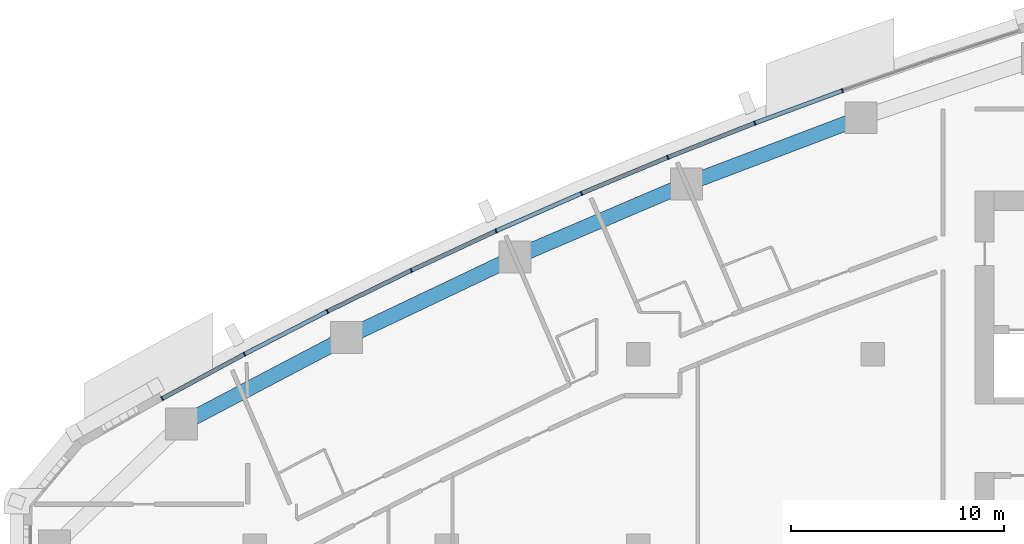
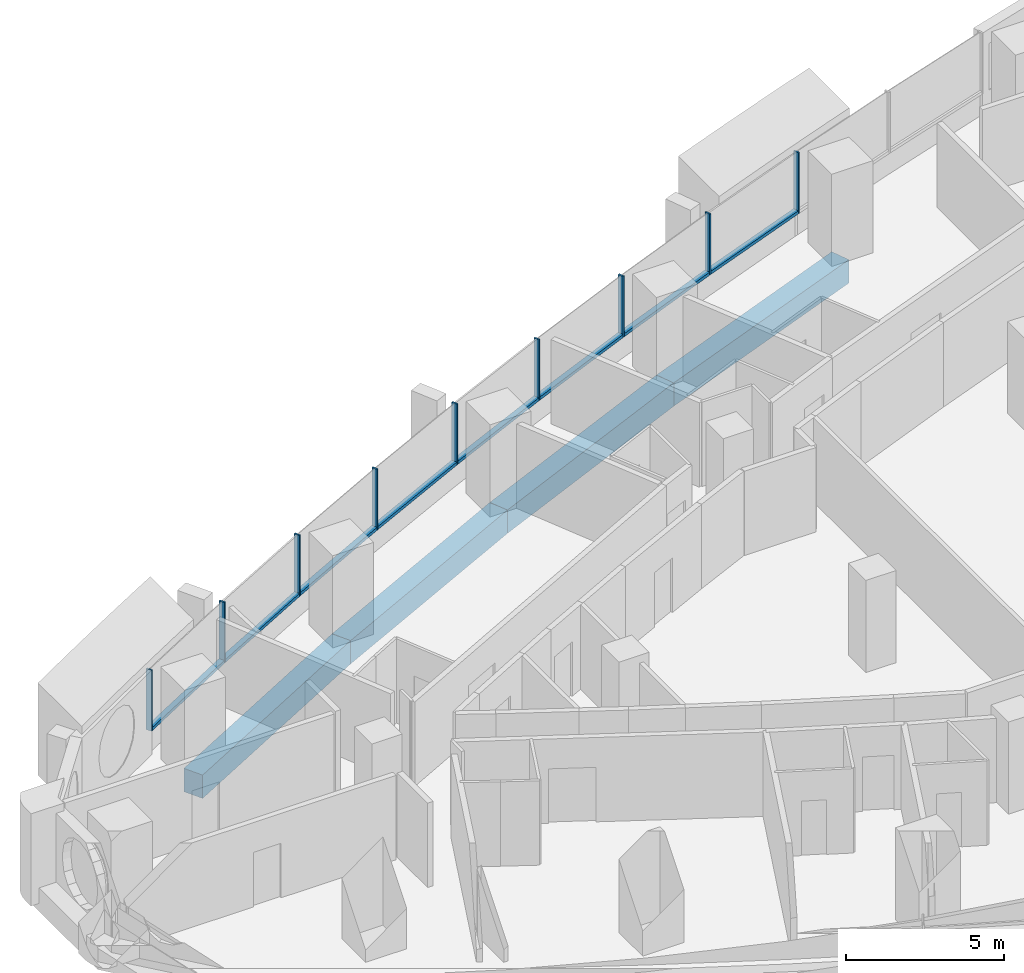
# One storey, part 5 of 17: 17 members, 4 beams, 5 elements without a shape of their own.
"""IFC4 building model written with IfcOpenShell, lengths in metres."""

from ifc_helpers import new_model, si_unit, direction, frame, origin, origin_2d, place, context, subcontext, project, spatial, rectangle, extrude, material, layer, layer_set, material_profile, profile_set, type_object, element, aggregate, save


model = new_model("IFC4")

# Units and contexts
model_context = context("Model", 3, precision=1e-05, world=origin(), true_north=direction((0.0, 1.0)))
body_context = subcontext(model_context, "Body", "Model", "MODEL_VIEW")
ifc_project = project(units=[si_unit("LENGTHUNIT", "METRE"), si_unit("AREAUNIT", "SQUARE_METRE"), si_unit("VOLUMEUNIT", "CUBIC_METRE"), si_unit("PLANEANGLEUNIT", "RADIAN"), si_unit("MASSUNIT", "GRAM", prefix="KILO")], contexts=[model_context])

# Site, building, storey
site_placement = place(None, origin())
site = spatial("IfcSite", under=ifc_project, at=site_placement, CompositionType="ELEMENT")
building_placement = place(site_placement, origin())
building = spatial("IfcBuilding", under=site, at=building_placement, Name="Ostrand Prow Hotel Tower", CompositionType="ELEMENT")
storey_placement = place(building_placement, frame((0.0, 0.0, 133.75)))
storey = spatial("IfcBuildingStorey", under=building, at=storey_placement, Name="L32", CompositionType="ELEMENT", Elevation=133.75)

# Beams
ifc_material_1 = material(Name="Concrete C70/85", Category="concrete")
ifc_material_profile_1 = material_profile(ifc_material_1, rectangle(XDim=0.699951171875, YDim=0.89990234375, at=origin_2d()), Name="RC 700x900")
ifc_profile_set_1 = profile_set([ifc_material_profile_1], Name="Concrete C70/85")
beam_type = type_object("IfcBeamType", Name="Edge beam 700x900 C70/85", PredefinedType="SPANDREL", material=ifc_profile_set_1)
for number, where, z_axis, x_axis, name in (
    (1, (44.438232421875, 20.093017578125, -0.75), (-0.93479358236, -0.355191439055, 0.0), (0.355191439055, -0.93479358236, 0.0), "Edge beam N2-N3"),
    (2, (36.255615234375, 16.98388671875, -0.75), (-0.919700966994, -0.392619575811, 0.0), (0.392619575811, -0.919700966994, 0.0), "Edge beam N3-N4"),
    (3, (28.205078125, 13.547119140625, -0.75), (-0.903083113352, -0.429465819803, 0.0), (0.429465819803, -0.903083113352, 0.0), "Edge beam N4-N5"),
    (4, (20.300048828125, 9.787841796875, -0.75), (-0.885016215308, -0.465560198731, 0.0), (0.465560198731, -0.885016215308, 0.0), "Edge beam N5-N6"),
):
    element("IfcBeam", number, at=place(storey_placement, frame(where, z_axis=z_axis, x_axis=x_axis)), inside=storey, type_object=beam_type, Name=name, PredefinedType="SPANDREL", context=body_context, shape_type="SweptSolid", body=[
        extrude(rectangle(XDim=0.699951171875, YDim=0.89990234375, at=origin_2d()), origin(), (0.0, 0.0, 1.0), 8.75341796875),
    ])

# Curtain wall, member
ifc_material_2 = material(Name="Insulated glass in bronze anodised frame", Category="glass")
ifc_layer = layer(ifc_material_2, 0.199951171875)
ifc_layer_set = layer_set([ifc_layer], Name="Insulated glass in bronze anodised frame")
curtain_wall_type = type_object("IfcCurtainWallType", Name="Strip curtain wall, fritted glass over bronze spandrel", PredefinedType="NOTDEFINED", material=ifc_layer_set)
curtain_wall_1_placement = place(storey_placement, origin())
curtain_wall_1 = element("IfcCurtainWall", 5, at=curtain_wall_1_placement, inside=storey, type_object=curtain_wall_type, Name="CW1 run CWN1", PredefinedType="NOTDEFINED")
ifc_material_3 = material(Name="Bronze anodised aluminium", Category="aluminium")
ifc_material_profile_2 = material_profile(ifc_material_3, rectangle(XDim=0.199951171875, YDim=0.06005859375, at=origin_2d()), Name="Mullion 60x200 bronze anodised aluminium")
ifc_profile_set_2 = profile_set([ifc_material_profile_2], Name="Bronze anodised aluminium")
member_type_1 = type_object("IfcMemberType", Name="Mullion 60x200 bronze anodised aluminium", PredefinedType="MULLION", material=ifc_profile_set_2)
member_1_placement = place(storey_placement, frame((43.5751953125, 21.3642578125, 0.89990234375), z_axis=(0.0, 0.0, 1.0), x_axis=(0.328428177424, -0.944528947293, 0.0)))
member_1 = element("IfcMember", 6, at=member_1_placement, type_object=member_type_1, Name="CW1 mullion 3", PredefinedType="MULLION", context=body_context, shape_type="SweptSolid", body=[
    extrude(rectangle(XDim=0.199951171875, YDim=0.06005859375, at=origin_2d()), origin(), (0.0, 0.0, 1.0), 2.35009765625),
])
aggregate(curtain_wall_1, [member_1])

# Curtain wall, members
curtain_wall_2_placement = place(storey_placement, origin())
curtain_wall_2 = element("IfcCurtainWall", 7, at=curtain_wall_2_placement, inside=storey, type_object=curtain_wall_type, Name="CW1 run CWN2", PredefinedType="NOTDEFINED")
member_2_placement = place(storey_placement, frame((39.462158203125, 19.8408203125, 0.89990234375), z_axis=(0.0, 0.0, 1.0), x_axis=(0.366116334636, -0.930569089059, 0.0)))
member_2 = element("IfcMember", 8, at=member_2_placement, type_object=member_type_1, Name="CW1 mullion 2", PredefinedType="MULLION", context=body_context, shape_type="SweptSolid", body=[
    extrude(rectangle(XDim=0.199951171875, YDim=0.06005859375, at=origin_2d()), origin(), (0.0, 0.0, 1.0), 2.35009765625),
])
member_3_placement = place(storey_placement, frame((35.380615234375, 18.235107421875, 0.89990234375), z_axis=(0.0, 0.0, 1.0), x_axis=(0.366116334636, -0.930569089059, 0.0)))
member_3 = element("IfcMember", 9, at=member_3_placement, type_object=member_type_1, Name="CW1 mullion 3", PredefinedType="MULLION", context=body_context, shape_type="SweptSolid", body=[
    extrude(rectangle(XDim=0.199951171875, YDim=0.06005859375, at=origin_2d()), origin(), (0.0, 0.0, 1.0), 2.35009765625),
])

curtain_wall_3_placement = place(storey_placement, origin())
curtain_wall_3 = element("IfcCurtainWall", 10, at=curtain_wall_3_placement, inside=storey, type_object=curtain_wall_type, Name="CW1 run CWN3", PredefinedType="NOTDEFINED")
member_4_placement = place(storey_placement, frame((31.332275390625, 16.54736328125, 0.89990234375), z_axis=(0.0, 0.0, 1.0), x_axis=(0.403213113347, -0.915106105993, 0.0)))
member_4 = element("IfcMember", 11, at=member_4_placement, type_object=member_type_1, Name="CW1 mullion 2", PredefinedType="MULLION", context=body_context, shape_type="SweptSolid", body=[
    extrude(rectangle(XDim=0.199951171875, YDim=0.06005859375, at=origin_2d()), origin(), (0.0, 0.0, 1.0), 2.35009765625),
])
member_5_placement = place(storey_placement, frame((27.318359375, 14.77880859375, 0.89990234375), z_axis=(0.0, 0.0, 1.0), x_axis=(0.403213113347, -0.915106105993, 0.0)))
member_5 = element("IfcMember", 12, at=member_5_placement, type_object=member_type_1, Name="CW1 mullion 3", PredefinedType="MULLION", context=body_context, shape_type="SweptSolid", body=[
    extrude(rectangle(XDim=0.199951171875, YDim=0.06005859375, at=origin_2d()), origin(), (0.0, 0.0, 1.0), 2.35009765625),
])

curtain_wall_4_placement = place(storey_placement, origin())
curtain_wall_4 = element("IfcCurtainWall", 13, at=curtain_wall_4_placement, inside=storey, type_object=curtain_wall_type, Name="CW1 run CWN4", PredefinedType="NOTDEFINED")
member_6_placement = place(storey_placement, frame((23.341064453125, 12.93017578125, 0.89990234375), z_axis=(0.0, 0.0, 1.0), x_axis=(0.439658592061, -0.898164975061, 0.0)))
member_6 = element("IfcMember", 14, at=member_6_placement, type_object=member_type_1, Name="CW1 mullion 2", PredefinedType="MULLION", context=body_context, shape_type="SweptSolid", body=[
    extrude(rectangle(XDim=0.199951171875, YDim=0.06005859375, at=origin_2d()), origin(), (0.0, 0.0, 1.0), 2.35009765625),
])
member_7_placement = place(storey_placement, frame((19.401611328125, 11.001708984375, 0.89990234375), z_axis=(0.0, 0.0, 1.0), x_axis=(0.439658592061, -0.898164975061, 0.0)))
member_7 = element("IfcMember", 15, at=member_7_placement, type_object=member_type_1, Name="CW1 mullion 3", PredefinedType="MULLION", context=body_context, shape_type="SweptSolid", body=[
    extrude(rectangle(XDim=0.199951171875, YDim=0.06005859375, at=origin_2d()), origin(), (0.0, 0.0, 1.0), 2.35009765625),
])

curtain_wall_5_placement = place(storey_placement, origin())
curtain_wall_5 = element("IfcCurtainWall", 16, at=curtain_wall_5_placement, inside=storey, type_object=curtain_wall_type, Name="CW1 run CWN5", PredefinedType="NOTDEFINED")
member_8_placement = place(storey_placement, frame((15.501708984375, 8.99462890625, 0.89990234375), z_axis=(0.0, 0.0, 1.0), x_axis=(0.475393901316, -0.879773060847, 0.0)))
member_8 = element("IfcMember", 17, at=member_8_placement, type_object=member_type_1, Name="CW1 mullion 2", PredefinedType="MULLION", context=body_context, shape_type="SweptSolid", body=[
    extrude(rectangle(XDim=0.199951171875, YDim=0.06005859375, at=origin_2d()), origin(), (0.0, 0.0, 1.0), 2.35009765625),
])
member_9_placement = place(storey_placement, frame((11.64306640625, 6.909423828125, 0.89990234375), z_axis=(0.0, 0.0, 1.0), x_axis=(0.475393901316, -0.879773060847, 0.0)))
member_9 = element("IfcMember", 18, at=member_9_placement, type_object=member_type_1, Name="CW1 mullion 3", PredefinedType="MULLION", context=body_context, shape_type="SweptSolid", body=[
    extrude(rectangle(XDim=0.199951171875, YDim=0.06005859375, at=origin_2d()), origin(), (0.0, 0.0, 1.0), 2.35009765625),
])

# Member
ifc_material_4 = material(Name="Bronze anodised aluminium", Category="aluminium")
ifc_material_profile_3 = material_profile(ifc_material_4, rectangle(XDim=0.199951171875, YDim=0.1201171875, at=origin_2d()), Name="Transom 120x200 bronze anodised aluminium")
ifc_profile_set_3 = profile_set([ifc_material_profile_3], Name="Bronze anodised aluminium")
member_type_2 = type_object("IfcMemberType", Name="Transom 120x200 bronze anodised aluminium", PredefinedType="USERDEFINED", material=ifc_profile_set_3)
member_10_placement = place(storey_placement, frame((43.547119140625, 21.353759765625, 0.9599609375), z_axis=(-0.937756929379, -0.347292299657, 0.0), x_axis=(0.347292299657, -0.937756929379, 0.0)))
member_10 = element("IfcMember", 19, at=member_10_placement, type_object=member_type_2, Name="CW1 transom 1.1", ObjectType="TRANSOM", PredefinedType="USERDEFINED", context=body_context, shape_type="SweptSolid", body=[
    extrude(rectangle(XDim=0.199951171875, YDim=0.1201171875, at=origin_2d()), origin(), (0.0, 0.0, 1.0), 4.326171875),
])

member_11_placement = place(storey_placement, frame((39.434326171875, 19.829833984375, 0.9599609375), z_axis=(-0.930563430162, -0.366130717701, 0.0), x_axis=(0.366130717701, -0.930563430162, 0.0)))
member_11 = element("IfcMember", 20, at=member_11_placement, type_object=member_type_2, Name="CW1 transom 2.1", ObjectType="TRANSOM", PredefinedType="USERDEFINED", context=body_context, shape_type="SweptSolid", body=[
    extrude(rectangle(XDim=0.199951171875, YDim=0.1201171875, at=origin_2d()), origin(), (0.0, 0.0, 1.0), 4.326171875),
])

aggregate(curtain_wall_2, [member_2, member_3, member_10, member_11])

member_12_placement = place(storey_placement, frame((35.352783203125, 18.223388671875, 0.9599609375), z_axis=(-0.923028493412, -0.384731595206, 0.0), x_axis=(0.384731595206, -0.923028493412, 0.0)))
member_12 = element("IfcMember", 21, at=member_12_placement, type_object=member_type_2, Name="CW1 transom 1.1", ObjectType="TRANSOM", PredefinedType="USERDEFINED", context=body_context, shape_type="SweptSolid", body=[
    extrude(rectangle(XDim=0.199951171875, YDim=0.1201171875, at=origin_2d()), origin(), (0.0, 0.0, 1.0), 4.325927734375),
])

member_13_placement = place(storey_placement, frame((31.3046875, 16.535400390625, 0.9599609375), z_axis=(-0.91509853977, -0.403230284715, 0.0), x_axis=(0.403230284715, -0.91509853977, 0.0)))
member_13 = element("IfcMember", 22, at=member_13_placement, type_object=member_type_2, Name="CW1 transom 2.1", ObjectType="TRANSOM", PredefinedType="USERDEFINED", context=body_context, shape_type="SweptSolid", body=[
    extrude(rectangle(XDim=0.199951171875, YDim=0.1201171875, at=origin_2d()), origin(), (0.0, 0.0, 1.0), 4.325927734375),
])

aggregate(curtain_wall_3, [member_4, member_5, member_12, member_13])

member_14_placement = place(storey_placement, frame((27.291259765625, 14.766357421875, 0.9599609375), z_axis=(-0.906796377468, -0.421568890944, 0.0), x_axis=(0.421568890944, -0.906796377468, 0.0)))
member_14 = element("IfcMember", 23, at=member_14_placement, type_object=member_type_2, Name="CW1 transom 1.1", ObjectType="TRANSOM", PredefinedType="USERDEFINED", context=body_context, shape_type="SweptSolid", body=[
    extrude(rectangle(XDim=0.199951171875, YDim=0.1201171875, at=origin_2d()), origin(), (0.0, 0.0, 1.0), 4.326171875),
])

member_15_placement = place(storey_placement, frame((23.314208984375, 12.9169921875, 0.9599609375), z_axis=(-0.89815413626, -0.439680733623, 0.0), x_axis=(0.439680733623, -0.89815413626, 0.0)))
member_15 = element("IfcMember", 24, at=member_15_placement, type_object=member_type_2, Name="CW1 transom 2.1", ObjectType="TRANSOM", PredefinedType="USERDEFINED", context=body_context, shape_type="SweptSolid", body=[
    extrude(rectangle(XDim=0.199951171875, YDim=0.1201171875, at=origin_2d()), origin(), (0.0, 0.0, 1.0), 4.326171875),
])

aggregate(curtain_wall_4, [member_6, member_7, member_14, member_15])

member_16_placement = place(storey_placement, frame((19.375, 10.988037109375, 0.9599609375), z_axis=(-0.88914020052, -0.457634902318, 0.0), x_axis=(0.457634902318, -0.88914020052, 0.0)))
member_16 = element("IfcMember", 25, at=member_16_placement, type_object=member_type_2, Name="CW1 transom 1.1", ObjectType="TRANSOM", PredefinedType="USERDEFINED", context=body_context, shape_type="SweptSolid", body=[
    extrude(rectangle(XDim=0.199951171875, YDim=0.1201171875, at=origin_2d()), origin(), (0.0, 0.0, 1.0), 4.325927734375),
])

member_17_placement = place(storey_placement, frame((15.475341796875, 8.980224609375, 0.9599609375), z_axis=(-0.879765206929, -0.475408435639, 0.0), x_axis=(0.475408435639, -0.879765206929, 0.0)))
member_17 = element("IfcMember", 26, at=member_17_placement, type_object=member_type_2, Name="CW1 transom 2.1", ObjectType="TRANSOM", PredefinedType="USERDEFINED", context=body_context, shape_type="SweptSolid", body=[
    extrude(rectangle(XDim=0.199951171875, YDim=0.1201171875, at=origin_2d()), origin(), (0.0, 0.0, 1.0), 4.326171875),
])

aggregate(curtain_wall_5, [member_8, member_9, member_16, member_17])

save(model, "model.ifc")
